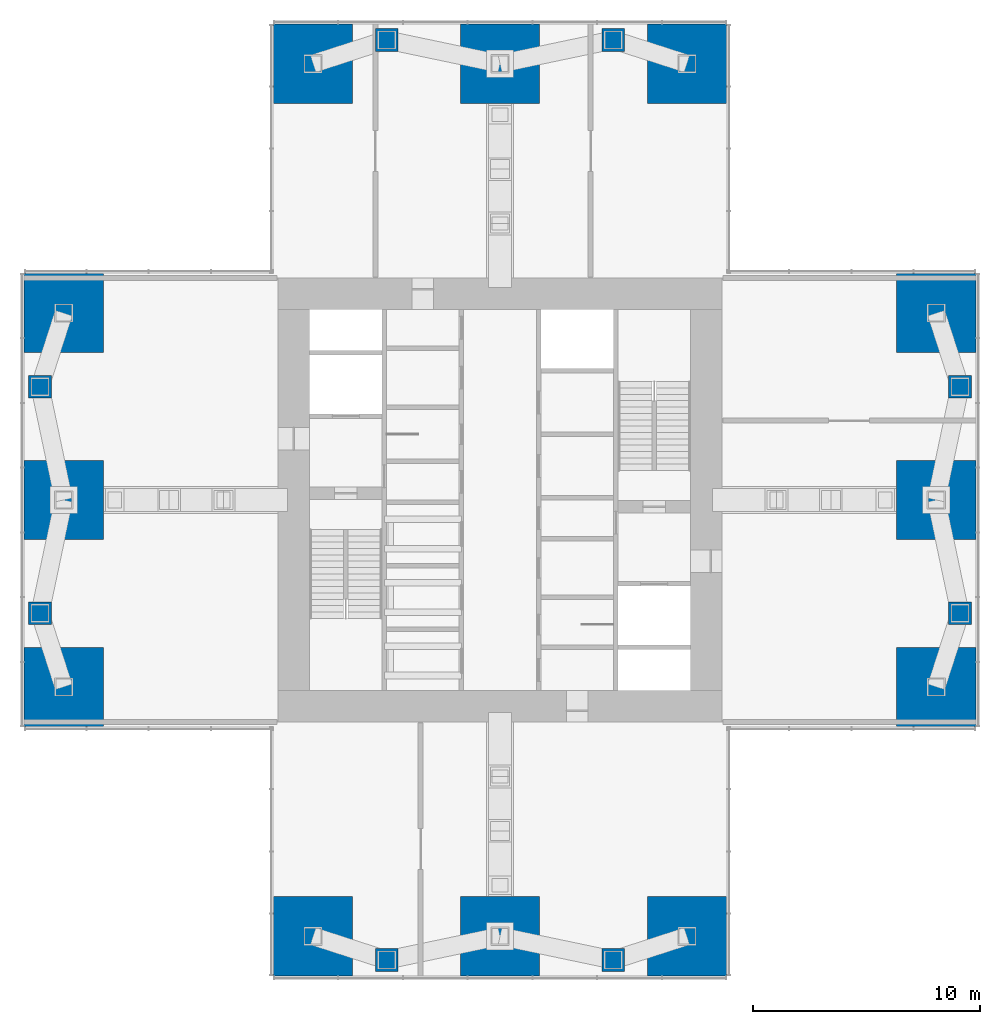
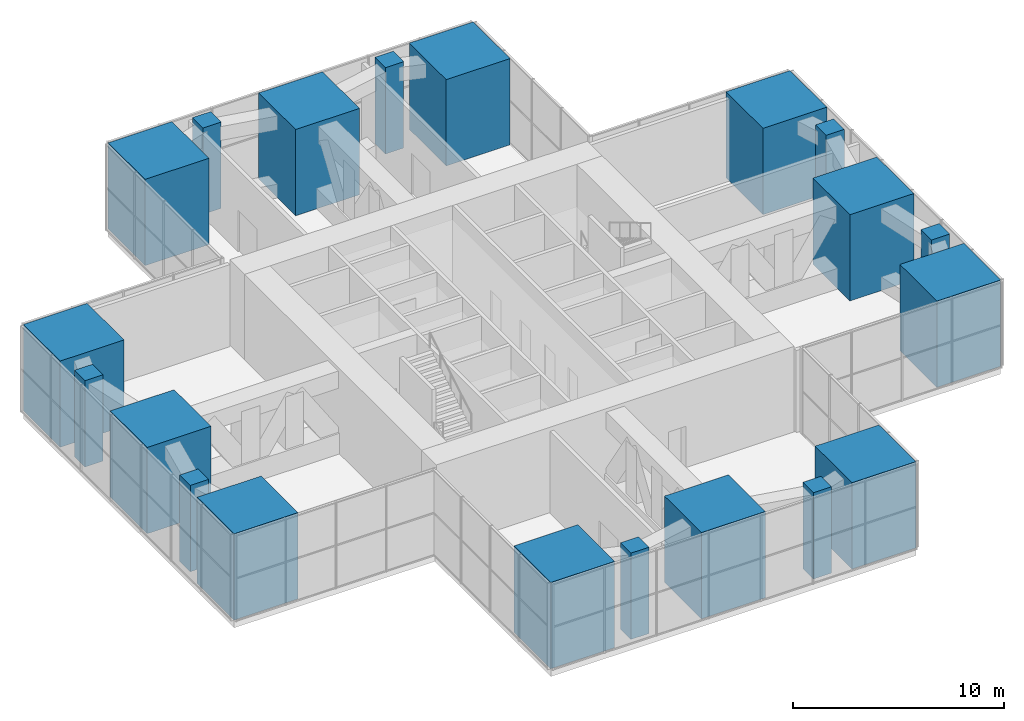
# One storey, part 1 of 12: 20 columns.
"""IFC4 building model written with IfcOpenShell, lengths in metres."""

from ifc_helpers import new_model, si_unit, direction, frame, origin, origin_2d, place, context, subcontext, project, spatial, rectangle, extrude, material, material_profile, profile_set, type_object, element, save


model = new_model("IFC4")

# Units and contexts
model_context = context("Model", 3, precision=1e-05, world=origin(), true_north=direction((0.0, 1.0)))
body_context = subcontext(model_context, "Body", "Model", "MODEL_VIEW")
ifc_project = project(units=[si_unit("LENGTHUNIT", "METRE"), si_unit("AREAUNIT", "SQUARE_METRE"), si_unit("VOLUMEUNIT", "CUBIC_METRE"), si_unit("PLANEANGLEUNIT", "RADIAN"), si_unit("MASSUNIT", "GRAM", prefix="KILO")], contexts=[model_context])

# Site, building, storey
site_placement = place(None, origin())
site = spatial("IfcSite", under=ifc_project, at=site_placement, CompositionType="ELEMENT")
building_placement = place(site_placement, origin())
building = spatial("IfcBuilding", under=site, at=building_placement, Name="Svetlomir Tower", CompositionType="ELEMENT")
storey_placement = place(building_placement, frame((0.0, 0.0, 234.5)))
storey = spatial("IfcBuildingStorey", under=building, at=storey_placement, Name="L56", CompositionType="ELEMENT", Elevation=234.5)

# Columns
ifc_material_1 = material(Name="Concrete C60/75", Category="concrete")
ifc_material_profile_1 = material_profile(ifc_material_1, rectangle(XDim=1.0, YDim=1.0, at=origin_2d()), Name="RC 1000x1000")
ifc_profile_set_1 = profile_set([ifc_material_profile_1], Name="Concrete C60/75")
column_type_1 = type_object("IfcColumnType", Name="COLUMN RC 1000x1000", PredefinedType="COLUMN", material=ifc_profile_set_1)
for number, where, z_axis, x_axis, name in (
    (1, (16.0, 0.699951171875, 0.0), (0.0, 0.0, 1.0), (1.0, 0.0, 0.0), "Column 16/0 L56"),
    (2, (26.0, 0.699951171875, 0.0), (0.0, 0.0, 1.0), (1.0, 0.0, 0.0), "Column 26/0 L56"),
    (3, (0.699951171875, 16.0, 0.0), (0.0, 0.0, 1.0), (1.0, 0.0, 0.0), "Column 0/16 L56"),
    (4, (41.300048828125, 16.0, 0.0), (0.0, 0.0, 1.0), (1.0, 0.0, 0.0), "Column 42/16 L56"),
    (5, (0.699951171875, 26.0, 0.0), (0.0, 0.0, 1.0), (1.0, 0.0, 0.0), "Column 0/26 L56"),
    (6, (41.300048828125, 26.0, 0.0), (0.0, 0.0, 1.0), (1.0, 0.0, 0.0), "Column 42/26 L56"),
    (7, (16.0, 41.300048828125, 0.0), (0.0, 0.0, 1.0), (1.0, 0.0, 0.0), "Column 16/42 L56"),
    (8, (26.0, 41.300048828125, 0.0), (0.0, 0.0, 1.0), (1.0, 0.0, 0.0), "Column 26/42 L56"),
):
    element("IfcColumn", number, at=place(storey_placement, frame(where, z_axis=z_axis, x_axis=x_axis)), inside=storey, type_object=column_type_1, Name=name, PredefinedType="COLUMN", context=body_context, shape_type="SweptSolid", body=[
        extrude(rectangle(XDim=1.0, YDim=1.0, at=origin_2d()), origin(), (0.0, 0.0, 1.0), 5.0),
    ])
ifc_material_2 = material(Name="Concrete C60/75", Category="concrete")
ifc_material_profile_2 = material_profile(ifc_material_2, rectangle(XDim=3.5, YDim=3.5, at=origin_2d()), Name="RC 3500x3500")
ifc_profile_set_2 = profile_set([ifc_material_profile_2], Name="Concrete C60/75")
column_type_2 = type_object("IfcColumnType", Name="COLUMN RC 3500x3500", PredefinedType="COLUMN", material=ifc_profile_set_2)
for number, where, z_axis, x_axis, name in (
    (9, (12.75, 1.75, 0.0), (0.0, 0.0, 1.0), (1.0, 0.0, 0.0), "Column 11/0 L56"),
    (10, (21.0, 1.75, 0.0), (0.0, 0.0, 1.0), (1.0, 0.0, 0.0), "Column 21/0 L56"),
    (11, (29.25, 1.75, 0.0), (0.0, 0.0, 1.0), (1.0, 0.0, 0.0), "Column 31/0 L56"),
    (12, (1.75, 12.75, 0.0), (0.0, 0.0, 1.0), (1.0, 0.0, 0.0), "Column 0/11 L56"),
    (13, (40.25, 12.75, 0.0), (0.0, 0.0, 1.0), (1.0, 0.0, 0.0), "Column 42/11 L56"),
    (14, (1.75, 21.0, 0.0), (0.0, 0.0, 1.0), (1.0, 0.0, 0.0), "Column 0/21 L56"),
    (15, (40.25, 21.0, 0.0), (0.0, 0.0, 1.0), (1.0, 0.0, 0.0), "Column 42/21 L56"),
    (16, (1.75, 29.25, 0.0), (0.0, 0.0, 1.0), (1.0, 0.0, 0.0), "Column 0/31 L56"),
    (17, (40.25, 29.25, 0.0), (0.0, 0.0, 1.0), (1.0, 0.0, 0.0), "Column 42/31 L56"),
    (18, (12.75, 40.25, 0.0), (0.0, 0.0, 1.0), (1.0, 0.0, 0.0), "Column 11/42 L56"),
    (19, (21.0, 40.25, 0.0), (0.0, 0.0, 1.0), (1.0, 0.0, 0.0), "Column 21/42 L56"),
    (20, (29.25, 40.25, 0.0), (0.0, 0.0, 1.0), (1.0, 0.0, 0.0), "Column 31/42 L56"),
):
    element("IfcColumn", number, at=place(storey_placement, frame(where, z_axis=z_axis, x_axis=x_axis)), inside=storey, type_object=column_type_2, Name=name, PredefinedType="COLUMN", context=body_context, shape_type="SweptSolid", body=[
        extrude(rectangle(XDim=3.5, YDim=3.5, at=origin_2d()), origin(), (0.0, 0.0, 1.0), 5.0),
    ])

save(model, "model.ifc")
